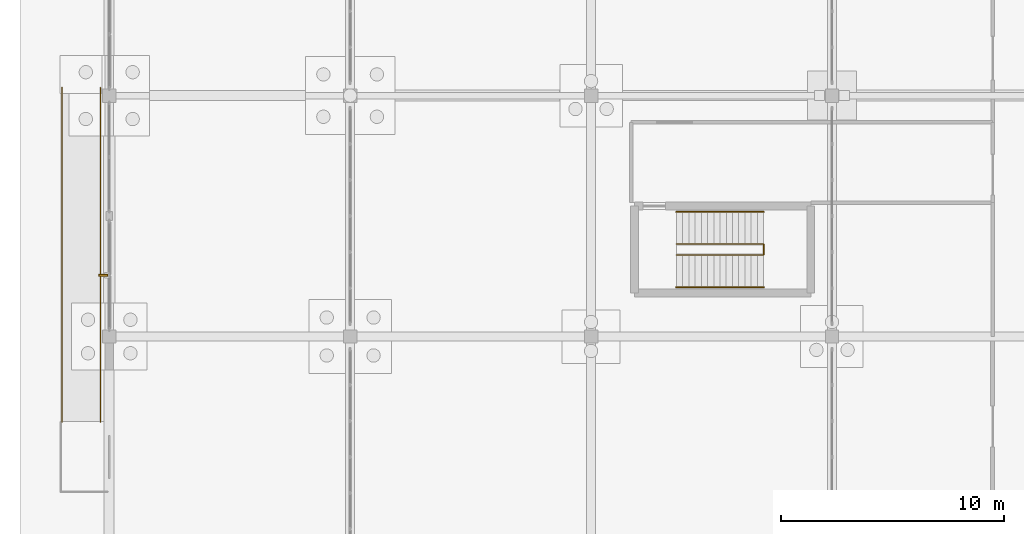
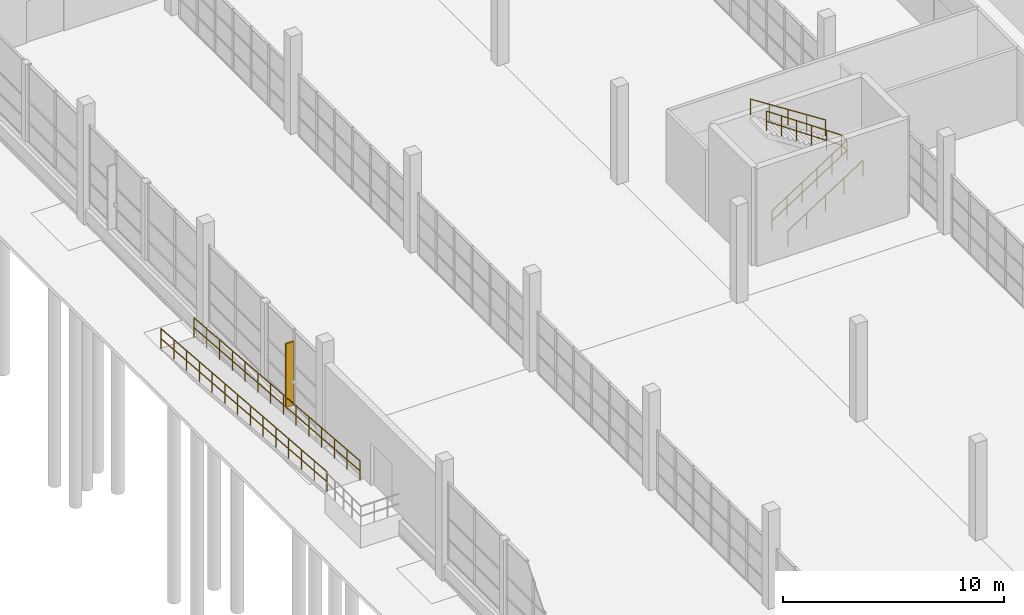
# One storey, part 124 of 138: 5 railings, 1 shading device.
"""IFC4 building model written with IfcOpenShell, lengths in metres."""

from ifc_helpers import new_model, si_unit, direction, frame, origin, origin_2d, place, context, subcontext, project, spatial, rectangle, circle, extrude, material, type_object, element, save


model = new_model("IFC4")

# Units and contexts
model_context = context("Model", 3, precision=1e-05, world=origin(), true_north=direction((0.0, 1.0)))
body_context = subcontext(model_context, "Body", "Model", "MODEL_VIEW")
ifc_project = project(units=[si_unit("LENGTHUNIT", "METRE"), si_unit("AREAUNIT", "SQUARE_METRE"), si_unit("VOLUMEUNIT", "CUBIC_METRE"), si_unit("PLANEANGLEUNIT", "RADIAN"), si_unit("MASSUNIT", "GRAM", prefix="KILO")], contexts=[model_context])

# Site, building, storey
site_placement = place(None, origin())
site = spatial("IfcSite", under=ifc_project, at=site_placement, CompositionType="ELEMENT")
building_placement = place(site_placement, origin())
building = spatial("IfcBuilding", under=site, at=building_placement, Name="Zwinboog Wholesale Market", CompositionType="ELEMENT")
storey_placement = place(building_placement, origin())
storey = spatial("IfcBuildingStorey", under=building, at=storey_placement, Name="L00", CompositionType="ELEMENT", Elevation=0.0)

# Shading device
ifc_material_1 = material(Name="Western red cedar timber", Category="wood")
shading_device_type = type_object("IfcShadingDeviceType", Name="SHD-FIN-CEDAR", PredefinedType="USERDEFINED", material=ifc_material_1)
shading_device_placement = place(storey_placement, frame((-0.27001953125, 56.74755859375, 0.080078125), z_axis=(0.0, 0.0, 1.0), x_axis=(1.0, 0.0, 0.0)))
element("IfcShadingDevice", 1, at=shading_device_placement, inside=storey, type_object=shading_device_type, Name="FN-01 (SHD-FIN-003)", ObjectType="FIN", PredefinedType="USERDEFINED", context=body_context, shape_type="SweptSolid", body=[
    extrude(rectangle(XDim=0.419921875, YDim=0.0849609375, at=origin_2d()), origin(), (0.0, 0.0, 1.0), 3.5),
])

# Railings
ifc_material_2 = material(Name="Steel S355", Category="steel")
railing_type_1 = type_object("IfcRailingType", Name="RLT-EXT-GUARD", PredefinedType="BALUSTRADE", material=ifc_material_2)
railing_1_placement = place(storey_placement, frame((-2.1201171875, 50.159912109375, 0.0)))
element("IfcRailing", 2, at=railing_1_placement, inside=storey, type_object=railing_type_1, Name="GR-01 (RLG-STP-01B)", PredefinedType="BALUSTRADE", context=body_context, shape_type="SweptSolid", body=[
    extrude(circle(Radius=0.02392578125, at=origin_2d()), frame((0.0, 0.0, 1.076171875), z_axis=(0.0, 0.996815536467, -0.079741998075), x_axis=(-1.0, 0.0, 0.0)), (0.0, 0.0, 1.0), 15.0478515625),
    extrude(circle(Radius=0.02392578125, at=origin_2d()), frame((0.0, 0.0, 0.52587890625), z_axis=(0.0, 0.996815536467, -0.079741998075), x_axis=(-1.0, 0.0, 0.0)), (0.0, 0.0, 1.0), 15.0478515625),
    extrude(circle(Radius=0.02099609375, at=origin_2d()), origin(), (0.0, 0.0, 1.0), 1.052001953125),
    extrude(circle(Radius=0.02099609375, at=origin_2d()), frame((0.0, 1.15380859375, -0.09228515625)), (0.0, 0.0, 1.0), 1.052001953125),
    extrude(circle(Radius=0.02099609375, at=origin_2d()), frame((0.0, 2.3076171875, -0.1845703125)), (0.0, 0.0, 1.0), 1.052001953125),
    extrude(circle(Radius=0.02099609375, at=origin_2d()), frame((0.0, 3.46142578125, -0.27685546875)), (0.0, 0.0, 1.0), 1.052001953125),
    extrude(circle(Radius=0.02099609375, at=origin_2d()), frame((0.0, 4.615478515625, -0.369140625)), (0.0, 0.0, 1.0), 1.052001953125),
    extrude(circle(Radius=0.02099609375, at=origin_2d()), frame((0.0, 5.769287109375, -0.46142578125)), (0.0, 0.0, 1.0), 1.052001953125),
    extrude(circle(Radius=0.02099609375, at=origin_2d()), frame((0.0, 6.923095703125, -0.5537109375)), (0.0, 0.0, 1.0), 1.052001953125),
    extrude(circle(Radius=0.02099609375, at=origin_2d()), frame((0.0, 8.076904296875, -0.646240234375)), (0.0, 0.0, 1.0), 1.052001953125),
    extrude(circle(Radius=0.02099609375, at=origin_2d()), frame((0.0, 9.230712890625, -0.738525390625)), (0.0, 0.0, 1.0), 1.052001953125),
    extrude(circle(Radius=0.02099609375, at=origin_2d()), frame((0.0, 10.384521484375, -0.830810546875)), (0.0, 0.0, 1.0), 1.052001953125),
    extrude(circle(Radius=0.02099609375, at=origin_2d()), frame((0.0, 11.53857421875, -0.923095703125)), (0.0, 0.0, 1.0), 1.052001953125),
    extrude(circle(Radius=0.02099609375, at=origin_2d()), frame((0.0, 12.6923828125, -1.015380859375)), (0.0, 0.0, 1.0), 1.052001953125),
    extrude(circle(Radius=0.02099609375, at=origin_2d()), frame((0.0, 13.84619140625, -1.107666015625)), (0.0, 0.0, 1.0), 1.052001953125),
    extrude(circle(Radius=0.02099609375, at=origin_2d()), frame((0.0, 15.0, -1.199951171875)), (0.0, 0.0, 1.0), 1.052001953125),
])
railing_2_placement = place(storey_placement, frame((-0.39990234375, 50.159912109375, 0.0)))
element("IfcRailing", 3, at=railing_2_placement, inside=storey, type_object=railing_type_1, Name="GR-01 (RLG-STP-01C)", PredefinedType="BALUSTRADE", context=body_context, shape_type="SweptSolid", body=[
    extrude(circle(Radius=0.02392578125, at=origin_2d()), frame((0.0, 0.0, 1.076171875), z_axis=(0.0, 0.996815536467, -0.079741998075), x_axis=(-1.0, 0.0, 0.0)), (0.0, 0.0, 1.0), 15.0478515625),
    extrude(circle(Radius=0.02392578125, at=origin_2d()), frame((0.0, 0.0, 0.52587890625), z_axis=(0.0, 0.996815536467, -0.079741998075), x_axis=(-1.0, 0.0, 0.0)), (0.0, 0.0, 1.0), 15.0478515625),
    extrude(circle(Radius=0.02099609375, at=origin_2d()), origin(), (0.0, 0.0, 1.0), 1.052001953125),
    extrude(circle(Radius=0.02099609375, at=origin_2d()), frame((0.0, 1.15380859375, -0.09228515625)), (0.0, 0.0, 1.0), 1.052001953125),
    extrude(circle(Radius=0.02099609375, at=origin_2d()), frame((0.0, 2.3076171875, -0.1845703125)), (0.0, 0.0, 1.0), 1.052001953125),
    extrude(circle(Radius=0.02099609375, at=origin_2d()), frame((0.0, 3.46142578125, -0.27685546875)), (0.0, 0.0, 1.0), 1.052001953125),
    extrude(circle(Radius=0.02099609375, at=origin_2d()), frame((0.0, 4.615478515625, -0.369140625)), (0.0, 0.0, 1.0), 1.052001953125),
    extrude(circle(Radius=0.02099609375, at=origin_2d()), frame((0.0, 5.769287109375, -0.46142578125)), (0.0, 0.0, 1.0), 1.052001953125),
    extrude(circle(Radius=0.02099609375, at=origin_2d()), frame((0.0, 6.923095703125, -0.5537109375)), (0.0, 0.0, 1.0), 1.052001953125),
    extrude(circle(Radius=0.02099609375, at=origin_2d()), frame((0.0, 8.076904296875, -0.646240234375)), (0.0, 0.0, 1.0), 1.052001953125),
    extrude(circle(Radius=0.02099609375, at=origin_2d()), frame((0.0, 9.230712890625, -0.738525390625)), (0.0, 0.0, 1.0), 1.052001953125),
    extrude(circle(Radius=0.02099609375, at=origin_2d()), frame((0.0, 10.384521484375, -0.830810546875)), (0.0, 0.0, 1.0), 1.052001953125),
    extrude(circle(Radius=0.02099609375, at=origin_2d()), frame((0.0, 11.53857421875, -0.923095703125)), (0.0, 0.0, 1.0), 1.052001953125),
    extrude(circle(Radius=0.02099609375, at=origin_2d()), frame((0.0, 12.6923828125, -1.015380859375)), (0.0, 0.0, 1.0), 1.052001953125),
    extrude(circle(Radius=0.02099609375, at=origin_2d()), frame((0.0, 13.84619140625, -1.107666015625)), (0.0, 0.0, 1.0), 1.052001953125),
    extrude(circle(Radius=0.02099609375, at=origin_2d()), frame((0.0, 15.0, -1.199951171875)), (0.0, 0.0, 1.0), 1.052001953125),
])
railing_type_2 = type_object("IfcRailingType", Name="RLT-INT-GUARD", PredefinedType="BALUSTRADE", material=ifc_material_2)
railing_3_placement = place(storey_placement, frame((25.419921875, 57.659912109375, 0.179931640625)))
element("IfcRailing", 4, at=railing_3_placement, inside=storey, type_object=railing_type_2, Name="GR-02 (RLG-ST-16-G1)", PredefinedType="BALUSTRADE", context=body_context, shape_type="SweptSolid", body=[
    extrude(circle(Radius=0.02392578125, at=origin_2d()), frame((0.0, 0.0, 1.09619140625), z_axis=(0.841186985886, 0.0, 0.540744352514), x_axis=(0.0, 1.0, 0.0)), (0.0, 0.0, 1.0), 4.660400390625),
    extrude(circle(Radius=0.02392578125, at=origin_2d()), frame((0.0, 0.0, 0.5361328125), z_axis=(0.841186985886, 0.0, 0.540744352514), x_axis=(0.0, 1.0, 0.0)), (0.0, 0.0, 1.0), 4.660400390625),
    extrude(circle(Radius=0.02392578125, at=origin_2d()), frame((3.920166015625, 0.0, 3.6162109375), z_axis=(0.0, 1.0, 0.0), x_axis=(-1.0, 0.0, 0.0)), (0.0, 0.0, 1.0), 0.47998046875),
    extrude(circle(Radius=0.02392578125, at=origin_2d()), frame((3.920166015625, 0.0, 3.05615234375), z_axis=(0.0, 1.0, 0.0), x_axis=(-1.0, 0.0, 0.0)), (0.0, 0.0, 1.0), 0.47998046875),
    extrude(circle(Radius=0.02392578125, at=origin_2d()), frame((3.920166015625, 0.47998046875, 3.6162109375), z_axis=(-0.823567234665, 0.0, 0.567218661528), x_axis=(0.0, -1.0, 0.0)), (0.0, 0.0, 1.0), 4.760009765625),
    extrude(circle(Radius=0.02392578125, at=origin_2d()), frame((3.920166015625, 0.47998046875, 3.05615234375), z_axis=(-0.823567234665, 0.0, 0.567218661528), x_axis=(0.0, -1.0, 0.0)), (0.0, 0.0, 1.0), 4.760009765625),
    extrude(circle(Radius=0.02099609375, at=origin_2d()), origin(), (0.0, 0.0, 1.0), 1.072021484375),
    extrude(circle(Radius=0.02099609375, at=origin_2d()), frame((0.783935546875, 0.0, 0.50390625)), (0.0, 0.0, 1.0), 1.072021484375),
    extrude(circle(Radius=0.02099609375, at=origin_2d()), frame((1.568115234375, 0.0, 1.008056640625)), (0.0, 0.0, 1.0), 1.072021484375),
    extrude(circle(Radius=0.02099609375, at=origin_2d()), frame((2.35205078125, 0.0, 1.511962890625)), (0.0, 0.0, 1.0), 1.072021484375),
    extrude(circle(Radius=0.02099609375, at=origin_2d()), frame((3.13623046875, 0.0, 2.01611328125)), (0.0, 0.0, 1.0), 1.072021484375),
    extrude(circle(Radius=0.02099609375, at=origin_2d()), frame((3.920166015625, 0.0, 2.52001953125)), (0.0, 0.0, 1.0), 1.072021484375),
    extrude(circle(Radius=0.02099609375, at=origin_2d()), frame((3.920166015625, 0.47998046875, 2.52001953125)), (0.0, 0.0, 1.0), 1.072021484375),
    extrude(circle(Radius=0.02099609375, at=origin_2d()), frame((3.13623046875, 0.47998046875, 3.06005859375)), (0.0, 0.0, 1.0), 1.072021484375),
    extrude(circle(Radius=0.02099609375, at=origin_2d()), frame((2.35205078125, 0.47998046875, 3.60009765625)), (0.0, 0.0, 1.0), 1.072021484375),
    extrude(circle(Radius=0.02099609375, at=origin_2d()), frame((1.568115234375, 0.47998046875, 4.139892578125)), (0.0, 0.0, 1.0), 1.072021484375),
    extrude(circle(Radius=0.02099609375, at=origin_2d()), frame((0.783935546875, 0.47998046875, 4.679931640625)), (0.0, 0.0, 1.0), 1.072021484375),
    extrude(circle(Radius=0.02099609375, at=origin_2d()), frame((0.0, 0.47998046875, 5.219970703125)), (0.0, 0.0, 1.0), 1.072021484375),
])
railing_type_3 = type_object("IfcRailingType", Name="RLT-HANDRAIL", PredefinedType="HANDRAIL", material=ifc_material_2)
railing_4_placement = place(storey_placement, frame((25.419921875, 56.2099609375, 0.179931640625)))
element("IfcRailing", 5, at=railing_4_placement, inside=storey, type_object=railing_type_3, Name="HR-01 (RLG-ST-16-HR1)", PredefinedType="HANDRAIL", context=body_context, shape_type="SweptSolid", body=[
    extrude(circle(Radius=0.02392578125, at=origin_2d()), frame((0.0, 0.0, 0.8759765625), z_axis=(0.841186985886, 0.0, 0.540744352514), x_axis=(0.0, 1.0, 0.0)), (0.0, 0.0, 1.0), 4.660400390625),
    extrude(circle(Radius=0.02099609375, at=origin_2d()), origin(), (0.0, 0.0, 1.0), 0.851806640625),
    extrude(circle(Radius=0.02099609375, at=origin_2d()), frame((0.97998046875, 0.0, 0.6298828125)), (0.0, 0.0, 1.0), 0.851806640625),
    extrude(circle(Radius=0.02099609375, at=origin_2d()), frame((1.9599609375, 0.0, 1.260009765625)), (0.0, 0.0, 1.0), 0.851806640625),
    extrude(circle(Radius=0.02099609375, at=origin_2d()), frame((2.940185546875, 0.0, 1.89013671875)), (0.0, 0.0, 1.0), 0.851806640625),
    extrude(circle(Radius=0.02099609375, at=origin_2d()), frame((3.920166015625, 0.0, 2.52001953125)), (0.0, 0.0, 1.0), 0.851806640625),
])
railing_5_placement = place(storey_placement, frame((29.340087890625, 59.590087890625, 2.8798828125)))
element("IfcRailing", 6, at=railing_5_placement, inside=storey, type_object=railing_type_3, Name="HR-01 (RLG-ST-16-HR2)", PredefinedType="HANDRAIL", context=body_context, shape_type="SweptSolid", body=[
    extrude(circle(Radius=0.02392578125, at=origin_2d()), frame((0.0, 0.0, 0.8759765625), z_axis=(-0.841186985886, 0.0, 0.540744352514), x_axis=(0.0, -1.0, 0.0)), (0.0, 0.0, 1.0), 4.660400390625),
    extrude(circle(Radius=0.02099609375, at=origin_2d()), origin(), (0.0, 0.0, 1.0), 0.851806640625),
    extrude(circle(Radius=0.02099609375, at=origin_2d()), frame((-0.97998046875, 0.0, 0.6298828125)), (0.0, 0.0, 1.0), 0.851806640625),
    extrude(circle(Radius=0.02099609375, at=origin_2d()), frame((-1.9599609375, 0.0, 1.260009765625)), (0.0, 0.0, 1.0), 0.851806640625),
    extrude(circle(Radius=0.02099609375, at=origin_2d()), frame((-2.940185546875, 0.0, 1.89013671875)), (0.0, 0.0, 1.0), 0.851806640625),
    extrude(circle(Radius=0.02099609375, at=origin_2d()), frame((-3.920166015625, 0.0, 2.52001953125)), (0.0, 0.0, 1.0), 0.851806640625),
])

save(model, "model.ifc")
